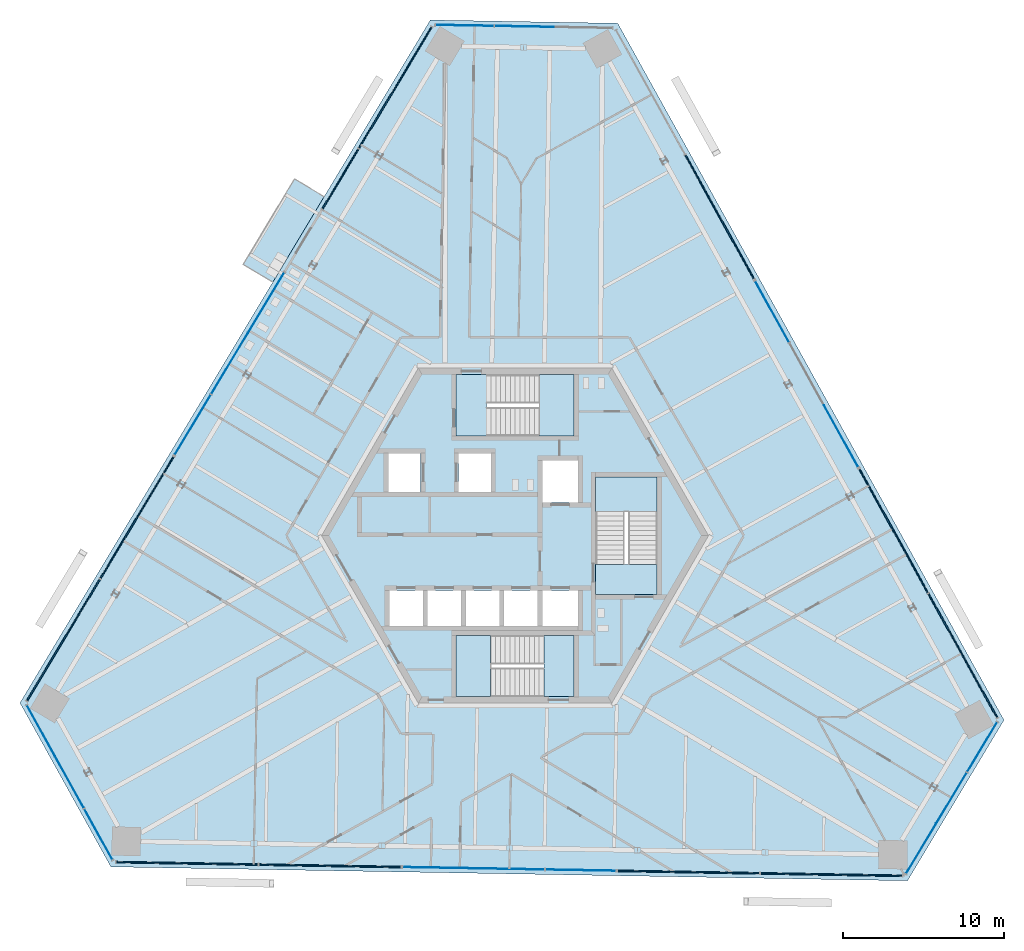
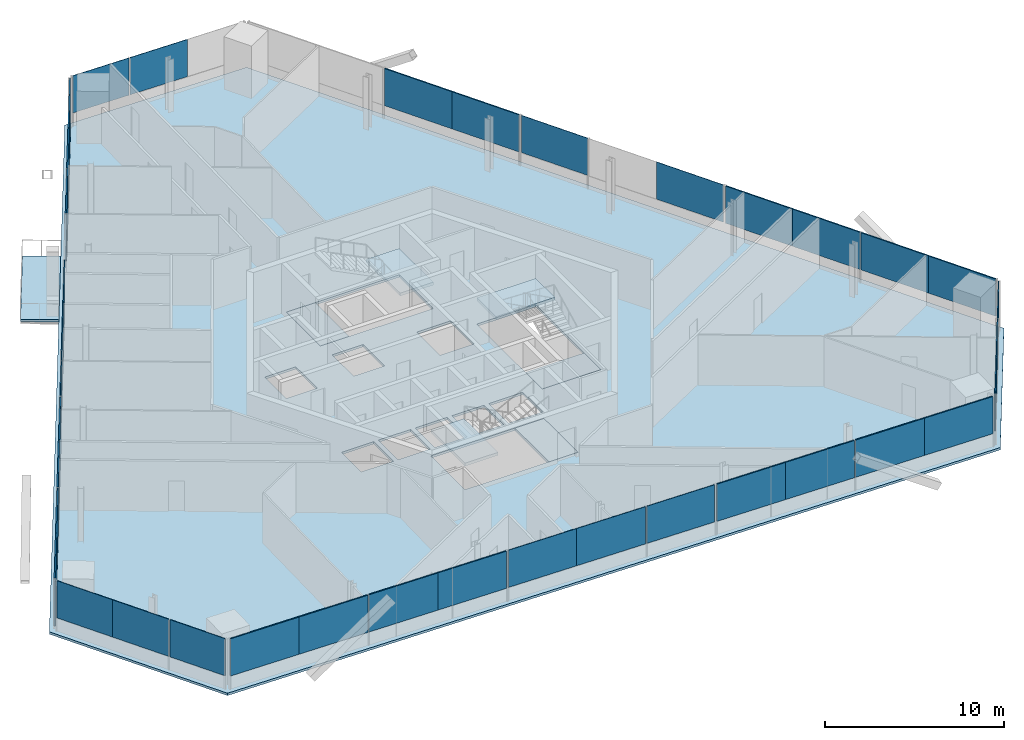
# One storey, part 10 of 19: 37 plates, 8 slabs, 15 elements without a shape of their own.
"""IFC4 building model written with IfcOpenShell, lengths in metres."""

from ifc_helpers import new_model, si_unit, direction, frame, origin, origin_2d, place, context, subcontext, project, spatial, polyline, rectangle, outline, extrude, source, transform, mapped, material, layer, layer_set, type_object, element, aggregate, save


model = new_model("IFC4")

# Units and contexts
model_context = context("Model", 3, precision=1e-05, world=origin(), true_north=direction((0.0, 1.0)))
body_context = subcontext(model_context, "Body", "Model", "MODEL_VIEW")
ifc_project = project(units=[si_unit("LENGTHUNIT", "METRE"), si_unit("AREAUNIT", "SQUARE_METRE"), si_unit("VOLUMEUNIT", "CUBIC_METRE"), si_unit("PLANEANGLEUNIT", "RADIAN"), si_unit("MASSUNIT", "GRAM", prefix="KILO")], contexts=[model_context])

# Site, building, storey
site_placement = place(None, origin())
site = spatial("IfcSite", under=ifc_project, at=site_placement, CompositionType="ELEMENT")
building_placement = place(site_placement, origin())
building = spatial("IfcBuilding", under=site, at=building_placement, Name="Triune Harvest Tower", CompositionType="ELEMENT")
storey_placement = place(building_placement, frame((0.0, 0.0, 183.5)))
storey = spatial("IfcBuildingStorey", under=building, at=storey_placement, Name="L47", CompositionType="ELEMENT", Elevation=183.5)

# Slab
ifc_material_1 = material(Name="Concrete 40 MPa", Category="concrete")
ifc_layer_1 = layer(ifc_material_1, 0.159912109375)
ifc_layer_set_1 = layer_set([ifc_layer_1], Name="Concrete 40 MPa")
slab_type_1 = type_object("IfcSlabType", Name="SL-1 Composite floor slab 160", PredefinedType="FLOOR", material=ifc_layer_set_1)
shared_shape_1 = source(origin(), body_context, "Body", "SweptSolid", [
    extrude(outline(polyline([(30.324951171875, -11.439208984375), (6.368896484375, 31.77880859375), (-5.256103515625, 31.981689453125), (-30.705810546875, -10.373779296875), (-25.069091796875, -20.542724609375), (24.3369140625, -21.405029296875), (30.324951171875, -11.439208984375)]), holes=[polyline([(-5.72509765625, -5.590087890625), (-5.72509765625, -3.389892578125), (-7.800048828125, -3.389892578125), (-7.800048828125, -5.590087890625), (-5.72509765625, -5.590087890625)]), polyline([(-3.35009765625, -5.590087890625), (-3.35009765625, -3.389892578125), (-5.425048828125, -3.389892578125), (-5.425048828125, -5.590087890625), (-3.35009765625, -5.590087890625)]), polyline([(-0.97509765625, -5.590087890625), (-0.97509765625, -3.389892578125), (-3.050048828125, -3.389892578125), (-3.050048828125, -5.590087890625), (-0.97509765625, -5.590087890625)]), polyline([(1.39990234375, -5.590087890625), (1.39990234375, -3.389892578125), (-0.675048828125, -3.389892578125), (-0.675048828125, -5.590087890625), (1.39990234375, -5.590087890625)]), polyline([(3.89990234375, 2.06005859375), (3.89990234375, 4.659912109375), (1.699951171875, 4.659912109375), (1.699951171875, 2.06005859375), (3.89990234375, 2.06005859375)]), polyline([(3.89990234375, -5.590087890625), (3.89990234375, -3.389892578125), (1.699951171875, -3.389892578125), (1.699951171875, -5.590087890625), (3.89990234375, -5.590087890625)]), polyline([(-5.85009765625, 2.7099609375), (-5.85009765625, 5.110107421875), (-7.85009765625, 5.110107421875), (-7.85009765625, 2.7099609375), (-5.85009765625, 2.7099609375)]), polyline([(-1.5, 2.7099609375), (-1.5, 5.110107421875), (-3.5, 5.110107421875), (-3.5, 2.7099609375), (-1.5, 2.7099609375)]), polyline([(3.64990234375, 6.18994140625), (3.64990234375, 9.989990234375), (-3.64990234375, 9.989990234375), (-3.64990234375, 6.18994140625), (3.64990234375, 6.18994140625)]), polyline([(3.64990234375, -9.989990234375), (3.64990234375, -6.18994140625), (-3.64990234375, -6.18994140625), (-3.64990234375, -9.989990234375), (3.64990234375, -9.989990234375)]), polyline([(8.800048828125, -3.64990234375), (8.800048828125, 3.64990234375), (5.0, 3.64990234375), (5.0, -3.64990234375), (8.800048828125, -3.64990234375)])]), origin(), (0.0, 0.0, 1.0), 0.159912109375),
])
slab_1_placement = place(storey_placement, frame((0.0, 0.0, -0.159912109375)))
element("IfcSlab", 1, at=slab_1_placement, inside=storey, type_object=slab_type_1, Name="slab/L47/1", PredefinedType="FLOOR", context=body_context, shape_type="MappedRepresentation", body=[
    mapped(shared_shape_1, transform((0.0, 0.0, 0.0), scale=1.0)),
])

# Stair, slabs
ifc_material_2 = material(Name="Concrete 40 MPa", Category="concrete")
stair_type = type_object("IfcStairType", Name="Exit stair 1800 half turn", PredefinedType="HALF_TURN_STAIR", material=ifc_material_2)
stair_1_placement = place(storey_placement, origin())
stair_1 = element("IfcStair", 2, at=stair_1_placement, inside=storey, type_object=stair_type, Name="Exit stair north", PredefinedType="HALF_TURN_STAIR")
ifc_material_3 = material(Name="Concrete 40 MPa", Category="concrete")
ifc_layer_2 = layer(ifc_material_3, 0.199951171875)
ifc_layer_set_2 = layer_set([ifc_layer_2], Name="Concrete 40 MPa")
slab_type_2 = type_object("IfcSlabType", Name="Stair landing 200", PredefinedType="LANDING", material=ifc_layer_set_2)
shared_shape_2 = source(origin(), body_context, "Body", "SweptSolid", [
    extrude(outline(polyline([(1.510009765625, 6.18994140625), (3.64990234375, 6.18994140625), (3.64990234375, 9.989990234375), (1.510009765625, 9.989990234375), (1.510009765625, 6.18994140625)])), origin(), (0.0, 0.0, 1.0), 0.199951171875),
])
slab_2_placement = place(storey_placement, frame((0.0, 0.0, 1.60009765625)))
slab_2 = element("IfcSlab", 3, at=slab_2_placement, type_object=slab_type_2, Name="ST-1 landing 2", PredefinedType="LANDING", context=body_context, shape_type="MappedRepresentation", body=[
    mapped(shared_shape_2, transform((0.0, 0.0, 0.0), scale=1.0)),
])
shared_shape_3 = source(origin(), body_context, "Body", "SweptSolid", [
    extrude(outline(polyline([(-3.64990234375, 6.18994140625), (-1.780029296875, 6.18994140625), (-1.780029296875, 9.989990234375), (-3.64990234375, 9.989990234375), (-3.64990234375, 6.18994140625)])), origin(), (0.0, 0.0, 1.0), 0.199951171875),
])
slab_3_placement = place(storey_placement, frame((0.0, 0.0, -0.199951171875)))
slab_3 = element("IfcSlab", 4, at=slab_3_placement, type_object=slab_type_2, Name="ST-1 landing 1", PredefinedType="LANDING", context=body_context, shape_type="MappedRepresentation", body=[
    mapped(shared_shape_3, transform((0.0, 0.0, 0.0), scale=1.0)),
])
aggregate(stair_1, [slab_3, slab_2])

stair_2_placement = place(storey_placement, origin())
stair_2 = element("IfcStair", 5, at=stair_2_placement, inside=storey, type_object=stair_type, Name="Exit stair south", PredefinedType="HALF_TURN_STAIR")
shared_shape_4 = source(origin(), body_context, "Body", "SweptSolid", [
    extrude(outline(polyline([(-1.510009765625, -6.18994140625), (-3.64990234375, -6.18994140625), (-3.64990234375, -9.989990234375), (-1.510009765625, -9.989990234375), (-1.510009765625, -6.18994140625)])), origin(), (0.0, 0.0, 1.0), 0.199951171875),
])
slab_4_placement = place(storey_placement, frame((0.0, 0.0, 1.60009765625)))
slab_4 = element("IfcSlab", 6, at=slab_4_placement, type_object=slab_type_2, Name="ST-2 landing 2", PredefinedType="LANDING", context=body_context, shape_type="MappedRepresentation", body=[
    mapped(shared_shape_4, transform((0.0, 0.0, 0.0), scale=1.0)),
])
shared_shape_5 = source(origin(), body_context, "Body", "SweptSolid", [
    extrude(outline(polyline([(3.64990234375, -6.18994140625), (1.780029296875, -6.18994140625), (1.780029296875, -9.989990234375), (3.64990234375, -9.989990234375), (3.64990234375, -6.18994140625)])), origin(), (0.0, 0.0, 1.0), 0.199951171875),
])
slab_5_placement = place(storey_placement, frame((0.0, 0.0, -0.199951171875)))
slab_5 = element("IfcSlab", 7, at=slab_5_placement, type_object=slab_type_2, Name="ST-2 landing 1", PredefinedType="LANDING", context=body_context, shape_type="MappedRepresentation", body=[
    mapped(shared_shape_5, transform((0.0, 0.0, 0.0), scale=1.0)),
])
aggregate(stair_2, [slab_5, slab_4])

stair_3_placement = place(storey_placement, origin())
stair_3 = element("IfcStair", 8, at=stair_3_placement, inside=storey, type_object=stair_type, Name="Exit stair east", PredefinedType="HALF_TURN_STAIR")
shared_shape_6 = source(origin(), body_context, "Body", "SweptSolid", [
    extrude(outline(polyline([(8.800048828125, 1.510009765625), (8.800048828125, 3.64990234375), (5.0, 3.64990234375), (5.0, 1.510009765625), (8.800048828125, 1.510009765625)])), origin(), (0.0, 0.0, 1.0), 0.199951171875),
])
slab_6_placement = place(storey_placement, frame((0.0, 0.0, 1.60009765625)))
slab_6 = element("IfcSlab", 9, at=slab_6_placement, type_object=slab_type_2, Name="ST-3 landing 2", PredefinedType="LANDING", context=body_context, shape_type="MappedRepresentation", body=[
    mapped(shared_shape_6, transform((0.0, 0.0, 0.0), scale=1.0)),
])
shared_shape_7 = source(origin(), body_context, "Body", "SweptSolid", [
    extrude(outline(polyline([(8.800048828125, -3.64990234375), (8.800048828125, -1.780029296875), (5.0, -1.780029296875), (5.0, -3.64990234375), (8.800048828125, -3.64990234375)])), origin(), (0.0, 0.0, 1.0), 0.199951171875),
])
slab_7_placement = place(storey_placement, frame((0.0, 0.0, -0.199951171875)))
slab_7 = element("IfcSlab", 10, at=slab_7_placement, type_object=slab_type_2, Name="ST-3 landing 1", PredefinedType="LANDING", context=body_context, shape_type="MappedRepresentation", body=[
    mapped(shared_shape_7, transform((0.0, 0.0, 0.0), scale=1.0)),
])
aggregate(stair_3, [slab_7, slab_6])

# Curtain wall, plate
ifc_material_4 = material(Name="Aluminium bronze anodised", Category="aluminium")
curtain_wall_type_1 = type_object("IfcCurtainWallType", Name="CW-1 Tower stick curtain wall", PredefinedType="NOTDEFINED", material=ifc_material_4)
curtain_wall_1_placement = place(storey_placement, origin())
curtain_wall_1 = element("IfcCurtainWall", 11, at=curtain_wall_1_placement, inside=storey, type_object=curtain_wall_type_1, Name="CW-1 B5-F4 L47 run 1")
ifc_material_5 = material(Name="Glass", Category="glass")
ifc_layer_3 = layer(ifc_material_5, 0.031982421875)
ifc_layer_set_3 = layer_set([ifc_layer_3], Name="Glass")
plate_type_1 = type_object("IfcPlateType", Name="GL-1 panel 32", PredefinedType="CURTAIN_PANEL", material=ifc_layer_set_3)
shared_shape_8 = source(origin(), body_context, "Body", "SweptSolid", [
    extrude(rectangle(XDim=3.625, YDim=0.031982421875, at=origin_2d()), origin(), (0.0, 0.0, 1.0), 2.5400390625),
])
plate_1_placement = place(storey_placement, frame((-29.400634765625, -12.109375, 0.89990234375), z_axis=(0.0, 0.0, 1.0), x_axis=(0.484801950362, -0.874623958582, 0.0)))
plate_1 = element("IfcPlate", 12, at=plate_1_placement, type_object=plate_type_1, Name="CW-1 panel B5-F4 1.1", PredefinedType="CURTAIN_PANEL", context=body_context, shape_type="MappedRepresentation", body=[
    mapped(shared_shape_8, transform((0.0, 0.0, 0.0), scale=1.0)),
])

curtain_wall_2_placement = place(storey_placement, origin())
curtain_wall_2 = element("IfcCurtainWall", 13, at=curtain_wall_2_placement, inside=storey, type_object=curtain_wall_type_1, Name="CW-1 B5-F6 L47 run 1")
plate_2_placement = place(storey_placement, frame((25.1875, -19.406982421875, 0.89990234375), z_axis=(0.0, 0.0, 1.0), x_axis=(0.515036685882, 0.857168135313, 0.0)))
plate_2 = element("IfcPlate", 14, at=plate_2_placement, type_object=plate_type_1, Name="CW-1 panel B5-F6 1.1", PredefinedType="CURTAIN_PANEL", context=body_context, shape_type="MappedRepresentation", body=[
    mapped(shared_shape_8, transform((0.0, 0.0, 0.0), scale=1.0)),
])

curtain_wall_3_placement = place(storey_placement, origin())
curtain_wall_3 = element("IfcCurtainWall", 15, at=curtain_wall_3_placement, inside=storey, type_object=curtain_wall_type_1, Name="CW-1 B5-F2 L47 run 1")
shared_shape_9 = source(origin(), body_context, "Body", "SweptSolid", [
    extrude(rectangle(XDim=3.66259765625, YDim=0.031982421875, at=origin_2d()), origin(), (0.0, 0.0, 1.0), 2.5400390625),
])
plate_3_placement = place(storey_placement, frame((0.570068359375, 31.580078125, 0.89990234375), z_axis=(0.0, 0.0, 1.0), x_axis=(-0.999847801404, 0.017446318452, 0.0)))
plate_3 = element("IfcPlate", 16, at=plate_3_placement, type_object=plate_type_1, Name="CW-1 panel B5-F2 1.2", PredefinedType="CURTAIN_PANEL", context=body_context, shape_type="MappedRepresentation", body=[
    mapped(shared_shape_9, transform((0.0, 0.0, 0.0), scale=1.0)),
])

# Plate
plate_4_placement = place(storey_placement, frame((-27.634033203125, -15.29638671875, 0.89990234375), z_axis=(0.0, 0.0, 1.0), x_axis=(0.484801950362, -0.874623958582, 0.0)))
plate_4 = element("IfcPlate", 17, at=plate_4_placement, type_object=plate_type_1, Name="CW-1 panel B5-F4 1.2", PredefinedType="CURTAIN_PANEL", context=body_context, shape_type="MappedRepresentation", body=[
    mapped(shared_shape_9, transform((0.0, 0.0, 0.0), scale=1.0)),
])

plate_5_placement = place(storey_placement, frame((27.064208984375, -16.28369140625, 0.89990234375), z_axis=(0.0, 0.0, 1.0), x_axis=(0.515036685882, 0.857168135313, 0.0)))
plate_5 = element("IfcPlate", 18, at=plate_5_placement, type_object=plate_type_1, Name="CW-1 panel B5-F6 1.2", PredefinedType="CURTAIN_PANEL", context=body_context, shape_type="MappedRepresentation", body=[
    mapped(shared_shape_9, transform((0.0, 0.0, 0.0), scale=1.0)),
])

shared_shape_10 = source(origin(), body_context, "Body", "SweptSolid", [
    extrude(rectangle(XDim=3.587646484375, YDim=0.031982421875, at=origin_2d()), origin(), (0.0, 0.0, 1.0), 2.5400390625),
])
plate_6_placement = place(storey_placement, frame((-3.129638671875, 31.64453125, 0.89990234375), z_axis=(0.0, 0.0, 1.0), x_axis=(-0.999847801404, 0.017446318452, 0.0)))
plate_6 = element("IfcPlate", 19, at=plate_6_placement, type_object=plate_type_1, Name="CW-1 panel B5-F2 1.3", PredefinedType="CURTAIN_PANEL", context=body_context, shape_type="MappedRepresentation", body=[
    mapped(shared_shape_10, transform((0.0, 0.0, 0.0), scale=1.0)),
])

aggregate(curtain_wall_3, [plate_3, plate_6])

plate_7_placement = place(storey_placement, frame((-25.84033203125, -18.532470703125, 0.89990234375), z_axis=(0.0, 0.0, 1.0), x_axis=(0.484801950362, -0.874623958582, 0.0)))
plate_7 = element("IfcPlate", 20, at=plate_7_placement, type_object=plate_type_1, Name="CW-1 panel B5-F4 1.3", PredefinedType="CURTAIN_PANEL", context=body_context, shape_type="MappedRepresentation", body=[
    mapped(shared_shape_10, transform((0.0, 0.0, 0.0), scale=1.0)),
])

aggregate(curtain_wall_1, [plate_1, plate_4, plate_7])

plate_8_placement = place(storey_placement, frame((28.9697265625, -13.112060546875, 0.89990234375), z_axis=(0.0, 0.0, 1.0), x_axis=(0.515036685882, 0.857168135313, 0.0)))
plate_8 = element("IfcPlate", 21, at=plate_8_placement, type_object=plate_type_1, Name="CW-1 panel B5-F6 1.3", PredefinedType="CURTAIN_PANEL", context=body_context, shape_type="MappedRepresentation", body=[
    mapped(shared_shape_10, transform((0.0, 0.0, 0.0), scale=1.0)),
])

aggregate(curtain_wall_2, [plate_2, plate_5, plate_8])

# Curtain wall, plates
ifc_material_6 = material(Name="Aluminium bronze anodised", Category="aluminium")
curtain_wall_type_2 = type_object("IfcCurtainWallType", Name="CW-7 Tower stick curtain wall with insulated spandrel infill", PredefinedType="NOTDEFINED", material=ifc_material_6)
curtain_wall_4_placement = place(storey_placement, origin())
curtain_wall_4 = element("IfcCurtainWall", 22, at=curtain_wall_4_placement, inside=storey, type_object=curtain_wall_type_2, Name="CW-7 B5-F1 L47 run 1")
ifc_material_7 = material(Name="Insulated spandrel panel, bronze aluminium pan", Category="aluminium")
ifc_layer_4 = layer(ifc_material_7, 0.080078125)
ifc_layer_set_4 = layer_set([ifc_layer_4], Name="Insulated spandrel panel, bronze aluminium pan")
plate_type_2 = type_object("IfcPlateType", Name="SP-1 insulated spandrel panel 80", PredefinedType="CURTAIN_PANEL", material=ifc_layer_set_4)
shared_shape_11 = source(origin(), body_context, "Body", "SweptSolid", [
    extrude(rectangle(XDim=4.369384765625, YDim=0.080078125, at=origin_2d()), origin(), (0.0, 0.0, 1.0), 2.5400390625),
])
plate_9_placement = place(storey_placement, frame((28.839599609375, -9.378173828125, 0.89990234375), z_axis=(0.0, 0.0, 1.0), x_axis=(-0.484808244015, 0.874620469995, 0.0)))
plate_9 = element("IfcPlate", 23, at=plate_9_placement, type_object=plate_type_2, Name="CW-7 panel B5-F1 1.1", PredefinedType="CURTAIN_PANEL", context=body_context, shape_type="MappedRepresentation", body=[
    mapped(shared_shape_11, transform((0.0, 0.0, 0.0), scale=1.0)),
])
plate_10_placement = place(storey_placement, frame((22.412109375, 2.217529296875, 0.89990234375), z_axis=(0.0, 0.0, 1.0), x_axis=(-0.484808244015, 0.874620469995, 0.0)))
plate_10 = element("IfcPlate", 24, at=plate_10_placement, type_object=plate_type_2, Name="CW-7 panel B5-F1 1.4", PredefinedType="CURTAIN_PANEL", context=body_context, shape_type="MappedRepresentation", body=[
    mapped(shared_shape_11, transform((0.0, 0.0, 0.0), scale=1.0)),
])

# Curtain wall, plate
curtain_wall_5_placement = place(storey_placement, origin())
curtain_wall_5 = element("IfcCurtainWall", 25, at=curtain_wall_5_placement, inside=storey, type_object=curtain_wall_type_2, Name="CW-7 B5-F1 L47 run 2001")
plate_11_placement = place(storey_placement, frame((13.757080078125, 17.831298828125, 0.89990234375), z_axis=(0.0, 0.0, 1.0), x_axis=(-0.484808244015, 0.874620469995, 0.0)))
plate_11 = element("IfcPlate", 26, at=plate_11_placement, type_object=plate_type_2, Name="CW-7 panel B5-F1 2001.1", PredefinedType="CURTAIN_PANEL", context=body_context, shape_type="MappedRepresentation", body=[
    mapped(shared_shape_11, transform((0.0, 0.0, 0.0), scale=1.0)),
])

# Curtain wall, plates
curtain_wall_6_placement = place(storey_placement, origin())
curtain_wall_6 = element("IfcCurtainWall", 27, at=curtain_wall_6_placement, inside=storey, type_object=curtain_wall_type_2, Name="CW-7 B5-F5 L47 run 1")
plate_12_placement = place(storey_placement, frame((-22.541259765625, -20.286865234375, 0.89990234375), z_axis=(0.0, 0.0, 1.0), x_axis=(0.999847718904, -0.017451045864, 0.0)))
plate_12 = element("IfcPlate", 28, at=plate_12_placement, type_object=plate_type_2, Name="CW-7 panel B5-F5 1.1", PredefinedType="CURTAIN_PANEL", context=body_context, shape_type="MappedRepresentation", body=[
    mapped(shared_shape_11, transform((0.0, 0.0, 0.0), scale=1.0)),
])
plate_13_placement = place(storey_placement, frame((-9.285400390625, -20.51806640625, 0.89990234375), z_axis=(0.0, 0.0, 1.0), x_axis=(0.999847718904, -0.017451045864, 0.0)))
plate_13 = element("IfcPlate", 29, at=plate_13_placement, type_object=plate_type_2, Name="CW-7 panel B5-F5 1.4", PredefinedType="CURTAIN_PANEL", context=body_context, shape_type="MappedRepresentation", body=[
    mapped(shared_shape_11, transform((0.0, 0.0, 0.0), scale=1.0)),
])

curtain_wall_7_placement = place(storey_placement, origin())
curtain_wall_7 = element("IfcCurtainWall", 30, at=curtain_wall_7_placement, inside=storey, type_object=curtain_wall_type_2, Name="CW-7 B5-F5 L47 run 2001")
plate_14_placement = place(storey_placement, frame((8.563720703125, -20.829833984375, 0.89990234375), z_axis=(0.0, 0.0, 1.0), x_axis=(0.999847718904, -0.017451045864, 0.0)))
plate_14 = element("IfcPlate", 31, at=plate_14_placement, type_object=plate_type_2, Name="CW-7 panel B5-F5 2001.1", PredefinedType="CURTAIN_PANEL", context=body_context, shape_type="MappedRepresentation", body=[
    mapped(shared_shape_11, transform((0.0, 0.0, 0.0), scale=1.0)),
])
plate_15_placement = place(storey_placement, frame((21.819580078125, -21.06103515625, 0.89990234375), z_axis=(0.0, 0.0, 1.0), x_axis=(0.999847718904, -0.017451045864, 0.0)))
plate_15 = element("IfcPlate", 32, at=plate_15_placement, type_object=plate_type_2, Name="CW-7 panel B5-F5 2001.4", PredefinedType="CURTAIN_PANEL", context=body_context, shape_type="MappedRepresentation", body=[
    mapped(shared_shape_11, transform((0.0, 0.0, 0.0), scale=1.0)),
])

# Plate
shared_shape_12 = source(origin(), body_context, "Body", "SweptSolid", [
    extrude(rectangle(XDim=4.40673828125, YDim=0.080078125, at=origin_2d()), origin(), (0.0, 0.0, 1.0), 2.5400390625),
])
plate_16_placement = place(storey_placement, frame((26.712158203125, -5.540283203125, 0.89990234375), z_axis=(0.0, 0.0, 1.0), x_axis=(-0.484808244015, 0.874620469995, 0.0)))
plate_16 = element("IfcPlate", 33, at=plate_16_placement, type_object=plate_type_2, Name="CW-7 panel B5-F1 1.2", PredefinedType="CURTAIN_PANEL", context=body_context, shape_type="MappedRepresentation", body=[
    mapped(shared_shape_12, transform((0.0, 0.0, 0.0), scale=1.0)),
])

plate_17_placement = place(storey_placement, frame((24.539306640625, -1.620361328125, 0.89990234375), z_axis=(0.0, 0.0, 1.0), x_axis=(-0.484808244015, 0.874620469995, 0.0)))
plate_17 = element("IfcPlate", 34, at=plate_17_placement, type_object=plate_type_2, Name="CW-7 panel B5-F1 1.3", PredefinedType="CURTAIN_PANEL", context=body_context, shape_type="MappedRepresentation", body=[
    mapped(shared_shape_12, transform((0.0, 0.0, 0.0), scale=1.0)),
])

aggregate(curtain_wall_4, [plate_9, plate_16, plate_17, plate_10])

plate_18_placement = place(storey_placement, frame((11.6298828125, 21.669189453125, 0.89990234375), z_axis=(0.0, 0.0, 1.0), x_axis=(-0.484808244015, 0.874620469995, 0.0)))
plate_18 = element("IfcPlate", 35, at=plate_18_placement, type_object=plate_type_2, Name="CW-7 panel B5-F1 2001.2", PredefinedType="CURTAIN_PANEL", context=body_context, shape_type="MappedRepresentation", body=[
    mapped(shared_shape_12, transform((0.0, 0.0, 0.0), scale=1.0)),
])

aggregate(curtain_wall_5, [plate_11, plate_18])

plate_19_placement = place(storey_placement, frame((-18.154052734375, -20.36328125, 0.89990234375), z_axis=(0.0, 0.0, 1.0), x_axis=(0.999847718904, -0.017451045864, 0.0)))
plate_19 = element("IfcPlate", 36, at=plate_19_placement, type_object=plate_type_2, Name="CW-7 panel B5-F5 1.2", PredefinedType="CURTAIN_PANEL", context=body_context, shape_type="MappedRepresentation", body=[
    mapped(shared_shape_12, transform((0.0, 0.0, 0.0), scale=1.0)),
])

plate_20_placement = place(storey_placement, frame((-13.6728515625, -20.441650390625, 0.89990234375), z_axis=(0.0, 0.0, 1.0), x_axis=(0.999847718904, -0.017451045864, 0.0)))
plate_20 = element("IfcPlate", 37, at=plate_20_placement, type_object=plate_type_2, Name="CW-7 panel B5-F5 1.3", PredefinedType="CURTAIN_PANEL", context=body_context, shape_type="MappedRepresentation", body=[
    mapped(shared_shape_12, transform((0.0, 0.0, 0.0), scale=1.0)),
])

aggregate(curtain_wall_6, [plate_12, plate_19, plate_20, plate_13])

plate_21_placement = place(storey_placement, frame((12.951171875, -20.90625, 0.89990234375), z_axis=(0.0, 0.0, 1.0), x_axis=(0.999847718904, -0.017451045864, 0.0)))
plate_21 = element("IfcPlate", 38, at=plate_21_placement, type_object=plate_type_2, Name="CW-7 panel B5-F5 2001.2", PredefinedType="CURTAIN_PANEL", context=body_context, shape_type="MappedRepresentation", body=[
    mapped(shared_shape_12, transform((0.0, 0.0, 0.0), scale=1.0)),
])

plate_22_placement = place(storey_placement, frame((17.432373046875, -20.984619140625, 0.89990234375), z_axis=(0.0, 0.0, 1.0), x_axis=(0.999847718904, -0.017451045864, 0.0)))
plate_22 = element("IfcPlate", 39, at=plate_22_placement, type_object=plate_type_2, Name="CW-7 panel B5-F5 2001.3", PredefinedType="CURTAIN_PANEL", context=body_context, shape_type="MappedRepresentation", body=[
    mapped(shared_shape_12, transform((0.0, 0.0, 0.0), scale=1.0)),
])

aggregate(curtain_wall_7, [plate_14, plate_21, plate_22, plate_15])

# Curtain wall, plate
curtain_wall_8_placement = place(storey_placement, origin())
curtain_wall_8 = element("IfcCurtainWall", 40, at=curtain_wall_8_placement, inside=storey, type_object=curtain_wall_type_1, Name="CW-1 B5-F1 L47 run 1001")
shared_shape_13 = source(origin(), body_context, "Body", "SweptSolid", [
    extrude(rectangle(XDim=4.369384765625, YDim=0.031982421875, at=origin_2d()), origin(), (0.0, 0.0, 1.0), 2.5400390625),
])
plate_23_placement = place(storey_placement, frame((20.220947265625, 6.170166015625, 0.89990234375), z_axis=(0.0, 0.0, 1.0), x_axis=(-0.48480912047, 0.87461998417, 0.0)))
plate_23 = element("IfcPlate", 41, at=plate_23_placement, type_object=plate_type_1, Name="CW-1 panel B5-F1 1001.1", PredefinedType="CURTAIN_PANEL", context=body_context, shape_type="MappedRepresentation", body=[
    mapped(shared_shape_13, transform((0.0, 0.0, 0.0), scale=1.0)),
])

curtain_wall_9_placement = place(storey_placement, origin())
curtain_wall_9 = element("IfcCurtainWall", 42, at=curtain_wall_9_placement, inside=storey, type_object=curtain_wall_type_1, Name="CW-1 B5-F5 L47 run 1001")
shared_shape_14 = source(origin(), body_context, "Body", "SweptSolid", [
    extrude(rectangle(XDim=4.40673828125, YDim=0.031982421875, at=origin_2d()), origin(), (0.0, 0.0, 1.0), 2.5400390625),
])
plate_24_placement = place(storey_placement, frame((-0.379638671875, -20.673583984375, 0.89990234375), z_axis=(0.0, 0.0, 1.0), x_axis=(0.999847679757, -0.017453288654, 0.0)))
plate_24 = element("IfcPlate", 43, at=plate_24_placement, type_object=plate_type_1, Name="CW-1 panel B5-F5 1001.2", PredefinedType="CURTAIN_PANEL", context=body_context, shape_type="MappedRepresentation", body=[
    mapped(shared_shape_14, transform((0.0, 0.0, 0.0), scale=1.0)),
])

# Plate
shared_shape_15 = source(origin(), body_context, "Body", "SweptSolid", [
    extrude(rectangle(XDim=4.331787109375, YDim=0.031982421875, at=origin_2d()), origin(), (0.0, 0.0, 1.0), 2.5400390625),
])
plate_25_placement = place(storey_placement, frame((15.93896484375, 13.89501953125, 0.89990234375), z_axis=(0.0, 0.0, 1.0), x_axis=(-0.48480912047, 0.87461998417, 0.0)))
plate_25 = element("IfcPlate", 44, at=plate_25_placement, type_object=plate_type_1, Name="CW-1 panel B5-F1 1001.3", PredefinedType="CURTAIN_PANEL", context=body_context, shape_type="MappedRepresentation", body=[
    mapped(shared_shape_15, transform((0.0, 0.0, 0.0), scale=1.0)),
])

aggregate(curtain_wall_8, [plate_23, plate_25])

plate_26_placement = place(storey_placement, frame((4.06396484375, -20.751220703125, 0.89990234375), z_axis=(0.0, 0.0, 1.0), x_axis=(0.999847679757, -0.017453288654, 0.0)))
plate_26 = element("IfcPlate", 45, at=plate_26_placement, type_object=plate_type_1, Name="CW-1 panel B5-F5 1001.3", PredefinedType="CURTAIN_PANEL", context=body_context, shape_type="MappedRepresentation", body=[
    mapped(shared_shape_15, transform((0.0, 0.0, 0.0), scale=1.0)),
])

# Curtain wall, plates
ifc_material_8 = material(Name="Aluminium bronze anodised", Category="aluminium")
curtain_wall_type_3 = type_object("IfcCurtainWallType", Name="CW-10 Balcony window wall with insulated spandrel infill", PredefinedType="NOTDEFINED", material=ifc_material_8)
curtain_wall_10_placement = place(storey_placement, origin())
curtain_wall_10 = element("IfcCurtainWall", 46, at=curtain_wall_10_placement, inside=storey, type_object=curtain_wall_type_3, Name="CW-10 B5-F3 L47 run 1")
shared_shape_16 = source(origin(), body_context, "Body", "SweptSolid", [
    extrude(rectangle(XDim=4.355712890625, YDim=0.080078125, at=origin_2d()), origin(), (0.0, 0.0, 1.0), 3.2900390625),
])
plate_27_placement = place(storey_placement, frame((-6.294677734375, 29.67041015625, 0.14990234375), z_axis=(0.0, 0.0, 1.0), x_axis=(-0.515036632219, -0.857168167557, 0.0)))
plate_27 = element("IfcPlate", 47, at=plate_27_placement, type_object=plate_type_2, Name="CW-10 panel B5-F3 1.1", PredefinedType="CURTAIN_PANEL", context=body_context, shape_type="MappedRepresentation", body=[
    mapped(shared_shape_16, transform((0.0, 0.0, 0.0), scale=1.0)),
])
shared_shape_17 = source(origin(), body_context, "Body", "SweptSolid", [
    extrude(rectangle(XDim=4.39306640625, YDim=0.080078125, at=origin_2d()), origin(), (0.0, 0.0, 1.0), 3.2900390625),
])
plate_28_placement = place(storey_placement, frame((-8.547607421875, 25.9208984375, 0.14990234375), z_axis=(0.0, 0.0, 1.0), x_axis=(-0.515036632219, -0.857168167557, 0.0)))
plate_28 = element("IfcPlate", 48, at=plate_28_placement, type_object=plate_type_2, Name="CW-10 panel B5-F3 1.2", PredefinedType="CURTAIN_PANEL", context=body_context, shape_type="MappedRepresentation", body=[
    mapped(shared_shape_17, transform((0.0, 0.0, 0.0), scale=1.0)),
])
shared_shape_18 = source(origin(), body_context, "Body", "SweptSolid", [
    extrude(rectangle(XDim=4.318115234375, YDim=0.080078125, at=origin_2d()), origin(), (0.0, 0.0, 1.0), 3.2900390625),
])
plate_29_placement = place(storey_placement, frame((-10.82958984375, 22.123046875, 0.14990234375), z_axis=(0.0, 0.0, 1.0), x_axis=(-0.515036632219, -0.857168167557, 0.0)))
plate_29 = element("IfcPlate", 49, at=plate_29_placement, type_object=plate_type_2, Name="CW-10 panel B5-F3 1.3", PredefinedType="CURTAIN_PANEL", context=body_context, shape_type="MappedRepresentation", body=[
    mapped(shared_shape_18, transform((0.0, 0.0, 0.0), scale=1.0)),
])
aggregate(curtain_wall_10, [plate_27, plate_28, plate_29])

# Slab
ifc_material_9 = material(Name="Concrete 40 MPa", Category="concrete")
ifc_layer_5 = layer(ifc_material_9, 0.159912109375)
ifc_layer_set_5 = layer_set([ifc_layer_5], Name="Concrete 40 MPa")
slab_type_3 = type_object("IfcSlabType", Name="BA-1 balcony slab 160", PredefinedType="FLOOR", material=ifc_layer_set_5)
shared_shape_19 = source(origin(), body_context, "Body", "SweptSolid", [
    extrude(outline(polyline([(-11.841064453125, 21.0224609375), (-15.026611328125, 15.720458984375), (-16.867919921875, 16.826904296875), (-13.68212890625, 22.128662109375), (-11.841064453125, 21.0224609375)])), origin(), (0.0, 0.0, 1.0), 0.159912109375),
])
slab_8_placement = place(storey_placement, frame((0.0, 0.0, -0.159912109375)))
element("IfcSlab", 50, at=slab_8_placement, inside=storey, type_object=slab_type_3, Name="Balcony slab B5-F3 L47.4", PredefinedType="FLOOR", context=body_context, shape_type="MappedRepresentation", body=[
    mapped(shared_shape_19, transform((0.0, 0.0, 0.0), scale=1.0)),
])

# Curtain wall, plates
ifc_material_10 = material(Name="Aluminium bronze anodised", Category="aluminium")
curtain_wall_type_4 = type_object("IfcCurtainWallType", Name="CW-6 Balcony window wall", PredefinedType="NOTDEFINED", material=ifc_material_10)
curtain_wall_11_placement = place(storey_placement, origin())
curtain_wall_11 = element("IfcCurtainWall", 51, at=curtain_wall_11_placement, inside=storey, type_object=curtain_wall_type_4, Name="CW-6 B5-F3 L47 run 2")
ifc_material_11 = material(Name="Glass", Category="glass")
ifc_layer_6 = layer(ifc_material_11, 0.030029296875)
ifc_layer_set_6 = layer_set([ifc_layer_6], Name="Glass")
plate_type_3 = type_object("IfcPlateType", Name="GL-6 panel 30", PredefinedType="CURTAIN_PANEL", material=ifc_layer_set_6)
shared_shape_20 = source(origin(), body_context, "Body", "SweptSolid", [
    extrude(rectangle(XDim=4.372802734375, YDim=0.030029296875, at=origin_2d()), origin(), (0.0, 0.0, 1.0), 3.2900390625),
])
plate_30_placement = place(storey_placement, frame((-15.4423828125, 14.4462890625, 0.14990234375), z_axis=(0.0, 0.0, 1.0), x_axis=(-0.515037495808, -0.857167648661, 0.0)))
plate_30 = element("IfcPlate", 52, at=plate_30_placement, type_object=plate_type_3, Name="CW-6 panel B5-F3 2.1", PredefinedType="CURTAIN_PANEL", context=body_context, shape_type="MappedRepresentation", body=[
    mapped(shared_shape_20, transform((0.0, 0.0, 0.0), scale=1.0)),
])
shared_shape_21 = source(origin(), body_context, "Body", "SweptSolid", [
    extrude(rectangle(XDim=4.41015625, YDim=0.030029296875, at=origin_2d()), origin(), (0.0, 0.0, 1.0), 3.2900390625),
])
plate_31_placement = place(storey_placement, frame((-17.7041015625, 10.68212890625, 0.14990234375), z_axis=(0.0, 0.0, 1.0), x_axis=(-0.515037495808, -0.857167648661, 0.0)))
plate_31 = element("IfcPlate", 53, at=plate_31_placement, type_object=plate_type_3, Name="CW-6 panel B5-F3 2.2", PredefinedType="CURTAIN_PANEL", context=body_context, shape_type="MappedRepresentation", body=[
    mapped(shared_shape_21, transform((0.0, 0.0, 0.0), scale=1.0)),
])
shared_shape_22 = source(origin(), body_context, "Body", "SweptSolid", [
    extrude(rectangle(XDim=4.335205078125, YDim=0.030029296875, at=origin_2d()), origin(), (0.0, 0.0, 1.0), 3.2900390625),
])
plate_32_placement = place(storey_placement, frame((-19.994873046875, 6.86962890625, 0.14990234375), z_axis=(0.0, 0.0, 1.0), x_axis=(-0.515037495808, -0.857167648661, 0.0)))
plate_32 = element("IfcPlate", 54, at=plate_32_placement, type_object=plate_type_3, Name="CW-6 panel B5-F3 2.3", PredefinedType="CURTAIN_PANEL", context=body_context, shape_type="MappedRepresentation", body=[
    mapped(shared_shape_22, transform((0.0, 0.0, 0.0), scale=1.0)),
])
aggregate(curtain_wall_11, [plate_30, plate_31, plate_32])

curtain_wall_12_placement = place(storey_placement, origin())
curtain_wall_12 = element("IfcCurtainWall", 55, at=curtain_wall_12_placement, inside=storey, type_object=curtain_wall_type_3, Name="CW-10 B5-F3 L47 run 1002")
shared_shape_23 = source(origin(), body_context, "Body", "SweptSolid", [
    extrude(rectangle(XDim=4.372802734375, YDim=0.080078125, at=origin_2d()), origin(), (0.0, 0.0, 1.0), 3.2900390625),
])
plate_33_placement = place(storey_placement, frame((-22.314697265625, 3.009033203125, 0.14990234375), z_axis=(0.0, 0.0, 1.0), x_axis=(-0.515035984523, -0.85716855673, 0.0)))
plate_33 = element("IfcPlate", 56, at=plate_33_placement, type_object=plate_type_2, Name="CW-10 panel B5-F3 1002.1", PredefinedType="CURTAIN_PANEL", context=body_context, shape_type="MappedRepresentation", body=[
    mapped(shared_shape_23, transform((0.0, 0.0, 0.0), scale=1.0)),
])
plate_34_placement = place(storey_placement, frame((-29.148193359375, -8.3642578125, 0.14990234375), z_axis=(0.0, 0.0, 1.0), x_axis=(-0.515035984523, -0.85716855673, 0.0)))
plate_34 = element("IfcPlate", 57, at=plate_34_placement, type_object=plate_type_2, Name="CW-10 panel B5-F3 1002.4", PredefinedType="CURTAIN_PANEL", context=body_context, shape_type="MappedRepresentation", body=[
    mapped(shared_shape_23, transform((0.0, 0.0, 0.0), scale=1.0)),
])
shared_shape_24 = source(origin(), body_context, "Body", "SweptSolid", [
    extrude(rectangle(XDim=4.41015625, YDim=0.080078125, at=origin_2d()), origin(), (0.0, 0.0, 1.0), 3.2900390625),
])
plate_35_placement = place(storey_placement, frame((-24.576416015625, -0.75537109375, 0.14990234375), z_axis=(0.0, 0.0, 1.0), x_axis=(-0.515035984523, -0.85716855673, 0.0)))
plate_35 = element("IfcPlate", 58, at=plate_35_placement, type_object=plate_type_2, Name="CW-10 panel B5-F3 1002.2", PredefinedType="CURTAIN_PANEL", context=body_context, shape_type="MappedRepresentation", body=[
    mapped(shared_shape_24, transform((0.0, 0.0, 0.0), scale=1.0)),
])
plate_36_placement = place(storey_placement, frame((-26.886474609375, -4.60009765625, 0.14990234375), z_axis=(0.0, 0.0, 1.0), x_axis=(-0.515035984523, -0.85716855673, 0.0)))
plate_36 = element("IfcPlate", 59, at=plate_36_placement, type_object=plate_type_2, Name="CW-10 panel B5-F3 1002.3", PredefinedType="CURTAIN_PANEL", context=body_context, shape_type="MappedRepresentation", body=[
    mapped(shared_shape_24, transform((0.0, 0.0, 0.0), scale=1.0)),
])
aggregate(curtain_wall_12, [plate_33, plate_35, plate_36, plate_34])

# Plate
shared_shape_25 = source(origin(), body_context, "Body", "SweptSolid", [
    extrude(rectangle(XDim=4.369140625, YDim=0.031982421875, at=origin_2d()), origin(), (0.0, 0.0, 1.0), 2.5400390625),
])
plate_37_placement = place(storey_placement, frame((-4.766845703125, -20.596923828125, 0.89990234375), z_axis=(0.0, 0.0, 1.0), x_axis=(0.999847679757, -0.017453288654, 0.0)))
plate_37 = element("IfcPlate", 60, at=plate_37_placement, type_object=plate_type_1, Name="CW-1 panel B5-F5 1001.1", PredefinedType="CURTAIN_PANEL", context=body_context, shape_type="MappedRepresentation", body=[
    mapped(shared_shape_25, transform((0.0, 0.0, 0.0), scale=1.0)),
])

aggregate(curtain_wall_9, [plate_37, plate_24, plate_26])

save(model, "model.ifc")
